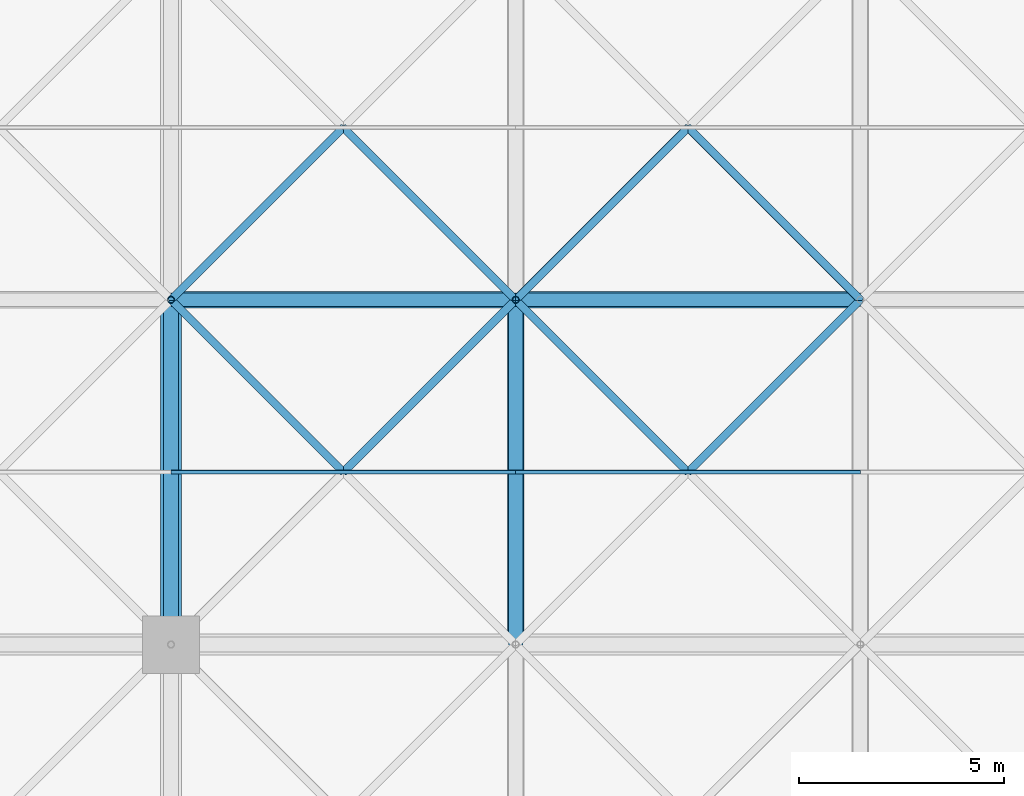
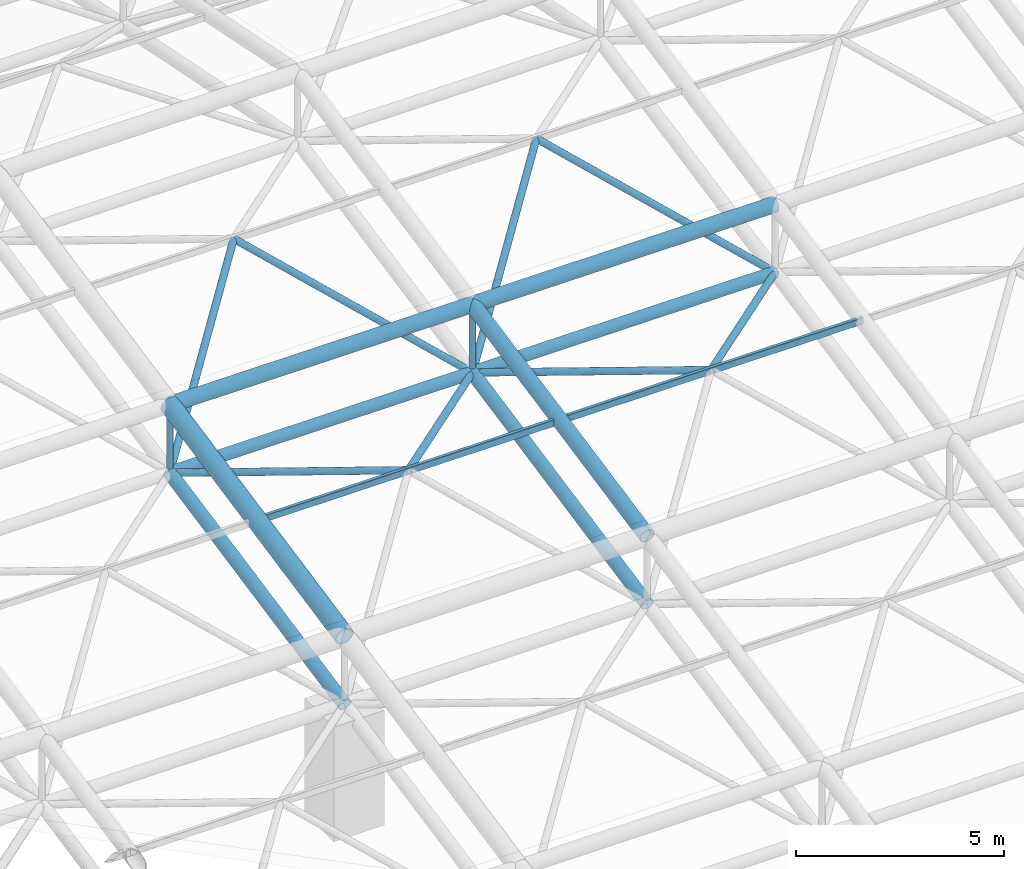
# One storey, part 42 of 110: 20 members.
"""IFC4 building model written with IfcOpenShell, lengths in metres."""

from ifc_helpers import new_model, si_unit, direction, frame, origin, origin_2d, place, context, subcontext, project, spatial, hollow_rectangle, hollow_circle, extrude, material, material_profile, profile_set, type_object, element, save


model = new_model("IFC4")

# Units and contexts
model_context = context("Model", 3, precision=1e-05, world=origin(), true_north=direction((0.0, 1.0)))
body_context = subcontext(model_context, "Body", "Model", "MODEL_VIEW")
ifc_project = project(units=[si_unit("LENGTHUNIT", "METRE"), si_unit("AREAUNIT", "SQUARE_METRE"), si_unit("VOLUMEUNIT", "CUBIC_METRE"), si_unit("PLANEANGLEUNIT", "RADIAN"), si_unit("MASSUNIT", "GRAM", prefix="KILO")], contexts=[model_context])

# Site, building, storey
site_placement = place(None, origin())
site = spatial("IfcSite", under=ifc_project, at=site_placement, CompositionType="ELEMENT")
building_placement = place(site_placement, origin())
building = spatial("IfcBuilding", under=site, at=building_placement, Name="Qawsi Khor Wholesale Market", CompositionType="ELEMENT")
storey_placement = place(building_placement, frame((0.0, 0.0, 11.39990234375)))
storey = spatial("IfcBuildingStorey", under=building, at=storey_placement, Name="L02", CompositionType="ELEMENT", Elevation=11.39990234375)

# Members
ifc_material = material(Name="Steel S355", Category="steel")
ifc_material_profile_1 = material_profile(ifc_material, hollow_circle(Radius=0.177734375, WallThickness=0.01611328125, at=origin_2d()), Name="CHS 355.6x16.0")
ifc_profile_set_1 = profile_set([ifc_material_profile_1], Name="Steel S355")
member_type_1 = type_object("IfcMemberType", Name="Space-Frame Bottom Chord CHS 355.6x16.0", PredefinedType="CHORD", material=ifc_profile_set_1)
for number, where, z_axis, x_axis, name in (
    (1, (159.60009765625, 58.800048828125, 3.3701171875), (0.0, 0.980129990483, 0.1983562496), (-1.0, 0.0, 0.0), "Space frame bottom chord Y EH (19,7)"),
    (2, (168.0, 58.800048828125, 3.3701171875), (0.0, 0.980129990483, 0.1983562496), (-1.0, 0.0, 0.0), "Space frame bottom chord Y EH (20,7)"),
):
    element("IfcMember", number, at=place(storey_placement, frame(where, z_axis=z_axis, x_axis=x_axis)), inside=storey, type_object=member_type_1, Name=name, PredefinedType="CHORD", context=body_context, shape_type="SweptSolid", body=[
        extrude(hollow_circle(Radius=0.177734375, WallThickness=0.01611328125, at=origin_2d()), origin(), (0.0, 0.0, 1.0), 8.5703125),
    ])
ifc_material_profile_2 = material_profile(ifc_material, hollow_circle(Radius=0.25390625, WallThickness=0.02490234375, at=origin_2d()), Name="CHS 508.0x25.0")
ifc_profile_set_2 = profile_set([ifc_material_profile_2], Name="Steel S355")
member_type_2 = type_object("IfcMemberType", Name="Space-Frame Main Chord CHS 508.0x25.0", PredefinedType="CHORD", material=ifc_profile_set_2)
member_1_placement = place(storey_placement, frame((159.60009765625, 58.800048828125, 5.3701171875), z_axis=(0.0, 0.980129990483, 0.1983562496), x_axis=(-1.0, 0.0, 0.0)))
element("IfcMember", 3, at=member_1_placement, inside=storey, type_object=member_type_2, Name="Space frame top chord Y EH (19,7)", PredefinedType="CHORD", context=body_context, shape_type="SweptSolid", body=[
    extrude(hollow_circle(Radius=0.25390625, WallThickness=0.02490234375, at=origin_2d()), origin(), (0.0, 0.0, 1.0), 8.5703125),
])
ifc_material_profile_3 = material_profile(ifc_material, hollow_rectangle(XDim=0.10009765625, YDim=0.199951171875, WallThickness=0.008056640625, InnerFilletRadius=0.008056640625, OuterFilletRadius=0.01611328125, at=origin_2d()), Name="RHS 200x100x8.0")
ifc_profile_set_3 = profile_set([ifc_material_profile_3], Name="Steel S355")
member_type_3 = type_object("IfcMemberType", Name="Space-Frame Purlin RHS 200x100x8.0", PredefinedType="PURLIN", material=ifc_profile_set_3)
for number, where, z_axis, x_axis, name in (
    (4, (159.60009765625, 63.0, 6.22021484375), (1.0, 0.0, 0.0), (0.0, 1.0, 0.0), "Space frame purlin EH (19,7)"),
    (5, (168.0, 63.0, 6.22021484375), (1.0, 0.0, 0.0), (0.0, 1.0, 0.0), "Space frame purlin EH (20,7)"),
):
    element("IfcMember", number, at=place(storey_placement, frame(where, z_axis=z_axis, x_axis=x_axis)), inside=storey, type_object=member_type_3, Name=name, PredefinedType="PURLIN", context=body_context, shape_type="SweptSolid", body=[
        extrude(hollow_rectangle(XDim=0.10009765625, YDim=0.199951171875, WallThickness=0.008056640625, InnerFilletRadius=0.008056640625, OuterFilletRadius=0.01611328125, at=origin_2d()), origin(), (0.0, 0.0, 1.0), 8.39990234375),
    ])
ifc_material_profile_4 = material_profile(ifc_material, hollow_circle(Radius=0.161865234375, WallThickness=0.01611328125, at=origin_2d()), Name="CHS 323.9x16.0")
ifc_profile_set_4 = profile_set([ifc_material_profile_4], Name="Steel S355")
member_type_4 = type_object("IfcMemberType", Name="Space-Frame Secondary Chord CHS 323.9x16.0", PredefinedType="CHORD", material=ifc_profile_set_4)
for number, where, z_axis, x_axis, name in (
    (6, (159.60009765625, 67.199951171875, 5.070068359375), (1.0, 0.0, 0.0), (0.0, 1.0, 0.0), "Space frame bottom chord X EH (19,8)"),
    (7, (168.0, 67.199951171875, 5.070068359375), (1.0, 0.0, 0.0), (0.0, 1.0, 0.0), "Space frame bottom chord X EH (20,8)"),
):
    element("IfcMember", number, at=place(storey_placement, frame(where, z_axis=z_axis, x_axis=x_axis)), inside=storey, type_object=member_type_4, Name=name, PredefinedType="CHORD", context=body_context, shape_type="SweptSolid", body=[
        extrude(hollow_circle(Radius=0.161865234375, WallThickness=0.01611328125, at=origin_2d()), origin(), (0.0, 0.0, 1.0), 8.39990234375),
    ])
ifc_material_profile_5 = material_profile(ifc_material, hollow_circle(Radius=0.096923828125, WallThickness=0.008056640625, at=origin_2d()), Name="CHS 193.7x8.0")
ifc_profile_set_5 = profile_set([ifc_material_profile_5], Name="Steel S355")
member_type_5 = type_object("IfcMemberType", Name="Space-Frame Secondary Diagonal CHS 193.7x8.0", PredefinedType="RAFTER", material=ifc_profile_set_5)
for number, where, z_axis, x_axis, name in (
    (8, (168.0, 67.199951171875, 5.070068359375), (-0.694211389158, -0.694211389158, 0.190108112208), (0.707106781187, -0.707106781187, 0.0), "Space frame diagonal EH (19,7)-3"),
    (9, (159.60009765625, 67.199951171875, 5.070068359375), (0.694211389158, -0.694211389158, 0.190108112208), (0.707106781187, 0.707106781187, 0.0), "Space frame diagonal EH (19,7)-4"),
):
    element("IfcMember", number, at=place(storey_placement, frame(where, z_axis=z_axis, x_axis=x_axis)), inside=storey, type_object=member_type_5, Name=name, PredefinedType="RAFTER", context=body_context, shape_type="SweptSolid", body=[
        extrude(hollow_circle(Radius=0.096923828125, WallThickness=0.008056640625, at=origin_2d()), origin(), (0.0, 0.0, 1.0), 6.050048828125),
    ])
for number, where, z_axis, x_axis, name in (
    (10, (159.60009765625, 67.199951171875, 5.070068359375), (0.637511741089, 0.637511741089, 0.432617105474), (-0.707106781187, 0.707106781187, 0.0), "Space frame diagonal EH (19,8)-1"),
    (11, (168.0, 67.199951171875, 5.070068359375), (-0.637511741089, 0.637511741089, 0.432617105474), (-0.707106781187, -0.707106781187, 0.0), "Space frame diagonal EH (19,8)-2"),
):
    element("IfcMember", number, at=place(storey_placement, frame(where, z_axis=z_axis, x_axis=x_axis)), inside=storey, type_object=member_type_5, Name=name, PredefinedType="RAFTER", context=body_context, shape_type="SweptSolid", body=[
        extrude(hollow_circle(Radius=0.096923828125, WallThickness=0.008056640625, at=origin_2d()), origin(), (0.0, 0.0, 1.0), 6.588134765625),
    ])
for number, where, z_axis, x_axis, name in (
    (12, (176.39990234375, 67.199951171875, 5.070068359375), (-0.694211389158, -0.694211389158, 0.190108112208), (0.707106781187, -0.707106781187, 0.0), "Space frame diagonal EH (20,7)-3"),
    (13, (168.0, 67.199951171875, 5.070068359375), (0.694211389158, -0.694211389158, 0.190108112208), (0.707106781187, 0.707106781187, 0.0), "Space frame diagonal EH (20,7)-4"),
):
    element("IfcMember", number, at=place(storey_placement, frame(where, z_axis=z_axis, x_axis=x_axis)), inside=storey, type_object=member_type_5, Name=name, PredefinedType="RAFTER", context=body_context, shape_type="SweptSolid", body=[
        extrude(hollow_circle(Radius=0.096923828125, WallThickness=0.008056640625, at=origin_2d()), origin(), (0.0, 0.0, 1.0), 6.050048828125),
    ])
for number, where, z_axis, x_axis, name in (
    (14, (168.0, 67.199951171875, 5.070068359375), (0.637511741089, 0.637511741089, 0.432617105474), (-0.707106781187, 0.707106781187, 0.0), "Space frame diagonal EH (20,8)-1"),
    (15, (176.39990234375, 67.199951171875, 5.070068359375), (-0.637511741089, 0.637511741089, 0.432617105474), (-0.707106781187, -0.707106781187, 0.0), "Space frame diagonal EH (20,8)-2"),
):
    element("IfcMember", number, at=place(storey_placement, frame(where, z_axis=z_axis, x_axis=x_axis)), inside=storey, type_object=member_type_5, Name=name, PredefinedType="RAFTER", context=body_context, shape_type="SweptSolid", body=[
        extrude(hollow_circle(Radius=0.096923828125, WallThickness=0.008056640625, at=origin_2d()), origin(), (0.0, 0.0, 1.0), 6.588134765625),
    ])
ifc_material_profile_6 = material_profile(ifc_material, hollow_circle(Radius=0.203125, WallThickness=0.02001953125, at=origin_2d()), Name="CHS 406.4x20.0")
ifc_profile_set_6 = profile_set([ifc_material_profile_6], Name="Steel S355")
member_type_6 = type_object("IfcMemberType", Name="Space-Frame Top Chord CHS 406.4x20.0", PredefinedType="CHORD", material=ifc_profile_set_6)
member_2_placement = place(storey_placement, frame((159.60009765625, 67.199951171875, 7.070068359375), z_axis=(1.0, 0.0, 0.0), x_axis=(0.0, 1.0, 0.0)))
element("IfcMember", 16, at=member_2_placement, inside=storey, type_object=member_type_6, Name="Space frame top chord X EH (19,8)", PredefinedType="CHORD", context=body_context, shape_type="SweptSolid", body=[
    extrude(hollow_circle(Radius=0.203125, WallThickness=0.02001953125, at=origin_2d()), origin(), (0.0, 0.0, 1.0), 8.39990234375),
])
member_3_placement = place(storey_placement, frame((168.0, 58.800048828125, 5.3701171875), z_axis=(0.0, 0.980129990483, 0.1983562496), x_axis=(-1.0, 0.0, 0.0)))
element("IfcMember", 17, at=member_3_placement, inside=storey, type_object=member_type_6, Name="Space frame top chord Y EH (20,7)", PredefinedType="CHORD", context=body_context, shape_type="SweptSolid", body=[
    extrude(hollow_circle(Radius=0.203125, WallThickness=0.02001953125, at=origin_2d()), origin(), (0.0, 0.0, 1.0), 8.5703125),
])
member_4_placement = place(storey_placement, frame((168.0, 67.199951171875, 7.070068359375), z_axis=(1.0, 0.0, 0.0), x_axis=(0.0, 1.0, 0.0)))
element("IfcMember", 18, at=member_4_placement, inside=storey, type_object=member_type_6, Name="Space frame top chord X EH (20,8)", PredefinedType="CHORD", context=body_context, shape_type="SweptSolid", body=[
    extrude(hollow_circle(Radius=0.203125, WallThickness=0.02001953125, at=origin_2d()), origin(), (0.0, 0.0, 1.0), 8.39990234375),
])
ifc_material_profile_7 = material_profile(ifc_material, hollow_circle(Radius=0.084228515625, WallThickness=0.008056640625, at=origin_2d()), Name="CHS 168.3x8.0")
ifc_profile_set_7 = profile_set([ifc_material_profile_7], Name="Steel S355")
member_type_7 = type_object("IfcMemberType", Name="Space-Frame Vertical Strut CHS 168.3x8.0", PredefinedType="STRUT", material=ifc_profile_set_7)
for number, where, z_axis, x_axis, name in (
    (19, (159.60009765625, 67.199951171875, 5.070068359375), (0.0, 0.0, 1.0), (1.0, 0.0, 0.0), "Space frame post EH (19,8)"),
    (20, (168.0, 67.199951171875, 5.070068359375), (0.0, 0.0, 1.0), (1.0, 0.0, 0.0), "Space frame post EH (20,8)"),
):
    element("IfcMember", number, at=place(storey_placement, frame(where, z_axis=z_axis, x_axis=x_axis)), inside=storey, type_object=member_type_7, Name=name, PredefinedType="STRUT", context=body_context, shape_type="SweptSolid", body=[
        extrude(hollow_circle(Radius=0.084228515625, WallThickness=0.008056640625, at=origin_2d()), origin(), (0.0, 0.0, 1.0), 2.0),
    ])

save(model, "model.ifc")
